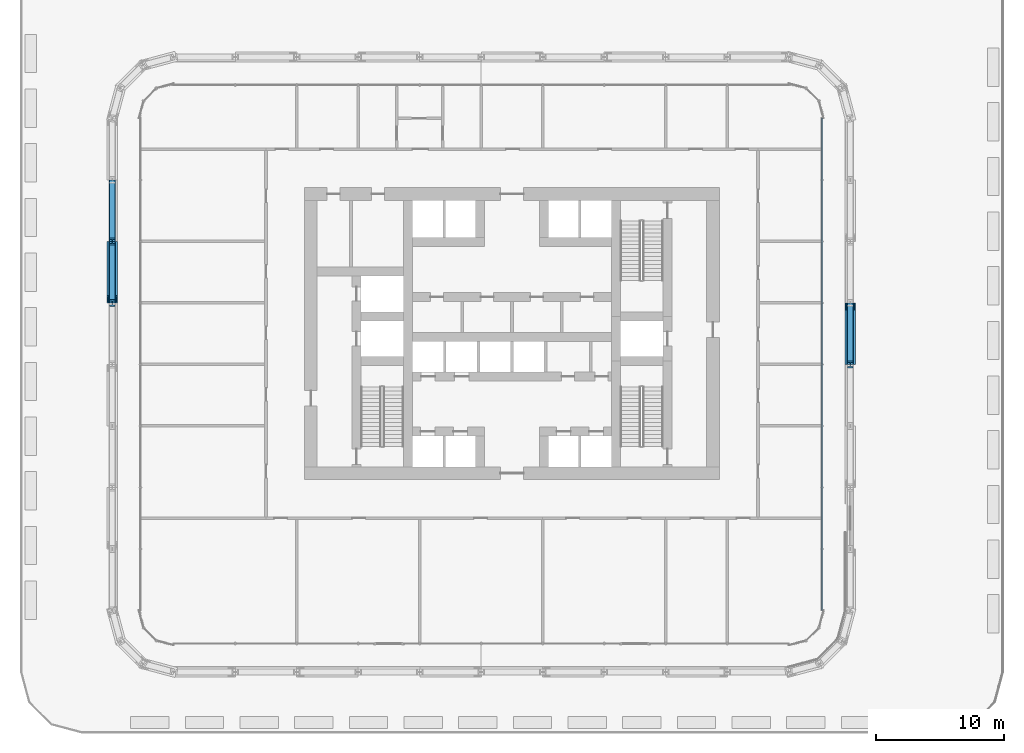
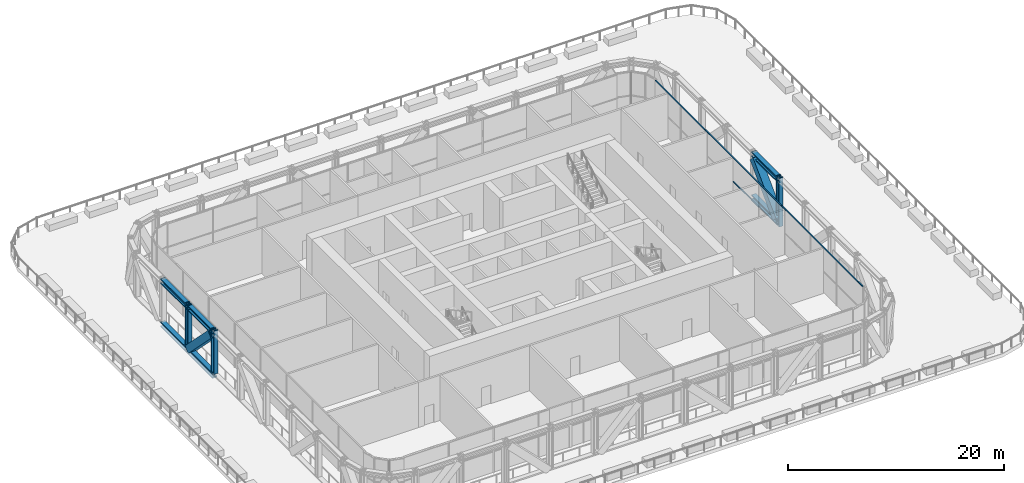
# One storey, part 6 of 22: 13 members, 1 element without a shape of its own.
"""IFC4 building model written with IfcOpenShell, lengths in metres."""

from ifc_helpers import new_model, si_unit, direction, frame, origin, origin_2d, place, context, subcontext, project, spatial, rectangle, hollow_rectangle, i_section, extrude, material, layer, layer_set, material_profile, profile_set, type_object, element, aggregate, save


model = new_model("IFC4")

# Units and contexts
model_context = context("Model", 3, precision=1e-05, world=origin(), true_north=direction((0.0, 1.0)))
body_context = subcontext(model_context, "Body", "Model", "MODEL_VIEW")
ifc_project = project(units=[si_unit("LENGTHUNIT", "METRE"), si_unit("AREAUNIT", "SQUARE_METRE"), si_unit("VOLUMEUNIT", "CUBIC_METRE"), si_unit("PLANEANGLEUNIT", "RADIAN"), si_unit("MASSUNIT", "GRAM", prefix="KILO")], contexts=[model_context])

# Site, building, storey
site_placement = place(None, origin())
site = spatial("IfcSite", under=ifc_project, at=site_placement, CompositionType="ELEMENT")
building_placement = place(site_placement, origin())
building = spatial("IfcBuilding", under=site, at=building_placement, Name="Madar Terraces", CompositionType="ELEMENT")
storey_placement = place(building_placement, frame((0.0, 0.0, 24.0)))
storey = spatial("IfcBuildingStorey", under=building, at=storey_placement, Name="L05", CompositionType="ELEMENT", Elevation=24.0)

# Members
ifc_material_1 = material(Name="Steel ASTM A913 Grade 65", Category="steel")
ifc_material_profile_1 = material_profile(ifc_material_1, i_section(OverallWidth=0.4775390625, OverallDepth=0.599365234375, WebThickness=0.10009765625, FlangeThickness=0.139892578125, at=origin_2d()), Name="W14x873")
ifc_profile_set_1 = profile_set([ifc_material_profile_1], Name="Steel ASTM A913 Grade 65")
member_type_1 = type_object("IfcMemberType", Name="BC1 W14x873", PredefinedType="CHORD", material=ifc_profile_set_1)
member_1_placement = place(storey_placement, frame((57.60009765625, 24.0, -0.120361328125), z_axis=(0.0, 1.0, 0.0), x_axis=(-1.0, 0.0, 0.0)))
element("IfcMember", 1, at=member_1_placement, inside=storey, type_object=member_type_1, Name="Exoskeleton truss ring bottom chord BC1", PredefinedType="CHORD", context=body_context, shape_type="SweptSolid", body=[
    extrude(i_section(OverallWidth=0.4775390625, OverallDepth=0.599365234375, WebThickness=0.10009765625, FlangeThickness=0.139892578125, at=origin_2d()), origin(), (0.0, 0.0, 1.0), 4.800048828125),
])
member_2_placement = place(storey_placement, frame((0.0, 38.39990234375, -0.120361328125), z_axis=(0.0, -1.0, 0.0), x_axis=(1.0, 0.0, 0.0)))
element("IfcMember", 2, at=member_2_placement, inside=storey, type_object=member_type_1, Name="Exoskeleton truss ring bottom chord BC1", PredefinedType="CHORD", context=body_context, shape_type="SweptSolid", body=[
    extrude(i_section(OverallWidth=0.4775390625, OverallDepth=0.599365234375, WebThickness=0.10009765625, FlangeThickness=0.139892578125, at=origin_2d()), origin(), (0.0, 0.0, 1.0), 4.7998046875),
])
member_3_placement = place(storey_placement, frame((0.0, 33.60009765625, -0.120361328125), z_axis=(0.0, -1.0, 0.0), x_axis=(1.0, 0.0, 0.0)))
element("IfcMember", 3, at=member_3_placement, inside=storey, type_object=member_type_1, Name="Exoskeleton truss ring bottom chord BC1", PredefinedType="CHORD", context=body_context, shape_type="SweptSolid", body=[
    extrude(i_section(OverallWidth=0.4775390625, OverallDepth=0.599365234375, WebThickness=0.10009765625, FlangeThickness=0.139892578125, at=origin_2d()), origin(), (0.0, 0.0, 1.0), 4.800048828125),
])

# Curtain wall, members
ifc_material_2 = material(Name="Glass, ceramic frit dark grey, with black aluminium frame", Category="aluminium")
ifc_layer = layer(ifc_material_2, 0.199951171875)
ifc_layer_set = layer_set([ifc_layer], Name="Facade curtain wall, tall glazing")
curtain_wall_type = type_object("IfcCurtainWallType", Name="Facade curtain wall, tall glazing", PredefinedType="NOTDEFINED", material=ifc_layer_set)
curtain_wall_placement = place(storey_placement, origin())
curtain_wall = element("IfcCurtainWall", 4, at=curtain_wall_placement, inside=storey, type_object=curtain_wall_type, Name="Outer skin curtain wall east bay 1", PredefinedType="NOTDEFINED")
ifc_material_3 = material(Name="Aluminium, black anodised", Category="aluminium")
ifc_material_profile_2 = material_profile(ifc_material_3, rectangle(XDim=0.1201171875, YDim=0.06005859375, at=origin_2d()), Name="Facade transom 60x120")
ifc_profile_set_2 = profile_set([ifc_material_profile_2], Name="Aluminium, black anodised")
member_type_2 = type_object("IfcMemberType", Name="Facade transom 60x120", PredefinedType="USERDEFINED", material=ifc_profile_set_2)
member_4_placement = place(storey_placement, frame((55.39990234375, 4.800048828125, 5.070068359375), z_axis=(0.0, 1.0, 0.0), x_axis=(-1.0, 0.0, 0.0)))
member_4 = element("IfcMember", 5, at=member_4_placement, type_object=member_type_2, Name="Transom 1", ObjectType="TRANSOM", PredefinedType="USERDEFINED", context=body_context, shape_type="SweptSolid", body=[
    extrude(rectangle(XDim=0.1201171875, YDim=0.06005859375, at=origin_2d()), origin(), (0.0, 0.0, 1.0), 38.39990234375),
])
member_5_placement = place(storey_placement, frame((55.39990234375, 24.030029296875, 2.39990234375), z_axis=(0.0, 1.0, 0.0), x_axis=(-1.0, 0.0, 0.0)))
member_5 = element("IfcMember", 6, at=member_5_placement, type_object=member_type_2, Name="Transom 6", ObjectType="TRANSOM", PredefinedType="USERDEFINED", context=body_context, shape_type="SweptSolid", body=[
    extrude(rectangle(XDim=0.1201171875, YDim=0.06005859375, at=origin_2d()), origin(), (0.0, 0.0, 1.0), 4.739990234375),
])
aggregate(curtain_wall, [member_4, member_5])

# Members
ifc_material_4 = material(Name="Steel ASTM A913 Grade 65", Category="steel")
ifc_material_profile_3 = material_profile(ifc_material_4, i_section(OverallWidth=0.45458984375, OverallDepth=0.56884765625, WebThickness=0.077880859375, FlangeThickness=0.124755859375, at=origin_2d()), Name="W14x730")
ifc_profile_set_3 = profile_set([ifc_material_profile_3], Name="Steel ASTM A913 Grade 65")
member_type_3 = type_object("IfcMemberType", Name="TC1 W14x730", PredefinedType="CHORD", material=ifc_profile_set_3)
member_6_placement = place(storey_placement, frame((57.60009765625, 24.0, 4.74560546875), z_axis=(0.0, 1.0, 0.0), x_axis=(-1.0, 0.0, 0.0)))
element("IfcMember", 7, at=member_6_placement, inside=storey, type_object=member_type_3, Name="Exoskeleton truss ring top chord TC1", PredefinedType="CHORD", context=body_context, shape_type="SweptSolid", body=[
    extrude(i_section(OverallWidth=0.45458984375, OverallDepth=0.56884765625, WebThickness=0.077880859375, FlangeThickness=0.124755859375, at=origin_2d()), origin(), (0.0, 0.0, 1.0), 4.800048828125),
])
member_7_placement = place(storey_placement, frame((0.0, 38.39990234375, 4.74560546875), z_axis=(0.0, -1.0, 0.0), x_axis=(1.0, 0.0, 0.0)))
element("IfcMember", 8, at=member_7_placement, inside=storey, type_object=member_type_3, Name="Exoskeleton truss ring top chord TC1", PredefinedType="CHORD", context=body_context, shape_type="SweptSolid", body=[
    extrude(i_section(OverallWidth=0.45458984375, OverallDepth=0.56884765625, WebThickness=0.077880859375, FlangeThickness=0.124755859375, at=origin_2d()), origin(), (0.0, 0.0, 1.0), 4.7998046875),
])
member_8_placement = place(storey_placement, frame((0.0, 33.60009765625, 4.74560546875), z_axis=(0.0, -1.0, 0.0), x_axis=(1.0, 0.0, 0.0)))
element("IfcMember", 9, at=member_8_placement, inside=storey, type_object=member_type_3, Name="Exoskeleton truss ring top chord TC1", PredefinedType="CHORD", context=body_context, shape_type="SweptSolid", body=[
    extrude(i_section(OverallWidth=0.45458984375, OverallDepth=0.56884765625, WebThickness=0.077880859375, FlangeThickness=0.124755859375, at=origin_2d()), origin(), (0.0, 0.0, 1.0), 4.800048828125),
])
ifc_material_5 = material(Name="Steel ASTM A572 Grade 50", Category="steel")
ifc_material_profile_4 = material_profile(ifc_material_5, hollow_rectangle(XDim=0.800048828125, YDim=0.800048828125, WallThickness=0.080078125, at=origin_2d()), Name="BOX800x800x80")
ifc_profile_set_4 = profile_set([ifc_material_profile_4], Name="Steel ASTM A572 Grade 50")
member_type_4 = type_object("IfcMemberType", Name="TD1 BOX800x800x80", PredefinedType="BRACE", material=ifc_profile_set_4)
member_9_placement = place(storey_placement, frame((57.60009765625, 24.295654296875, 0.179443359375), z_axis=(0.0, 0.702280003428, 0.711900833533), x_axis=(-1.0, 0.0, 0.0)))
element("IfcMember", 10, at=member_9_placement, inside=storey, type_object=member_type_4, Name="Exoskeleton truss ring diagonal TD1", PredefinedType="BRACE", context=body_context, shape_type="SweptSolid", body=[
    extrude(hollow_rectangle(XDim=0.800048828125, YDim=0.800048828125, WallThickness=0.080078125, at=origin_2d()), origin(), (0.0, 0.0, 1.0), 6.01416015625),
])
member_10_placement = place(storey_placement, frame((0.0, 33.304443359375, 0.179443359375), z_axis=(0.0, -0.702300575813, 0.711880538583), x_axis=(1.0, 0.0, 0.0)))
element("IfcMember", 11, at=member_10_placement, inside=storey, type_object=member_type_4, Name="Exoskeleton truss ring diagonal TD1", PredefinedType="BRACE", context=body_context, shape_type="SweptSolid", body=[
    extrude(hollow_rectangle(XDim=0.800048828125, YDim=0.800048828125, WallThickness=0.080078125, at=origin_2d()), origin(), (0.0, 0.0, 1.0), 6.014404296875),
])
ifc_material_6 = material(Name="Steel ASTM A913 Grade 65", Category="steel")
ifc_material_profile_5 = material_profile(ifc_material_6, i_section(OverallWidth=0.44189453125, OverallDepth=0.53076171875, WebThickness=0.06591796875, FlangeThickness=0.105712890625, at=origin_2d()), Name="W14x605")
ifc_profile_set_5 = profile_set([ifc_material_profile_5], Name="Steel ASTM A913 Grade 65")
member_type_5 = type_object("IfcMemberType", Name="TV1 W14x605", PredefinedType="POST", material=ifc_profile_set_5)
for number, where, z_axis, x_axis, name in (
    (12, (57.60009765625, 24.0, -0.419921875), (0.0, 0.0, 1.0), (-1.0, 0.0, 0.0), "Exoskeleton truss ring post TV1"),
    (13, (0.0, 33.60009765625, -0.419921875), (0.0, 0.0, 1.0), (1.0, 0.0, 0.0), "Exoskeleton truss ring post TV1"),
):
    element("IfcMember", number, at=place(storey_placement, frame(where, z_axis=z_axis, x_axis=x_axis)), inside=storey, type_object=member_type_5, Name=name, PredefinedType="POST", context=body_context, shape_type="SweptSolid", body=[
        extrude(i_section(OverallWidth=0.44189453125, OverallDepth=0.53076171875, WebThickness=0.06591796875, FlangeThickness=0.105712890625, at=origin_2d()), origin(), (0.0, 0.0, 1.0), 5.52001953125),
    ])
member_11_placement = place(storey_placement, frame((0.0, 28.800048828125, 0.179443359375), z_axis=(0.0, 0.0, 1.0), x_axis=(1.0, 0.0, 0.0)))
element("IfcMember", 14, at=member_11_placement, inside=storey, type_object=member_type_5, Name="Exoskeleton truss ring post TV1", PredefinedType="POST", context=body_context, shape_type="SweptSolid", body=[
    extrude(i_section(OverallWidth=0.44189453125, OverallDepth=0.53076171875, WebThickness=0.06591796875, FlangeThickness=0.105712890625, at=origin_2d()), origin(), (0.0, 0.0, 1.0), 4.920654296875),
])

save(model, "model.ifc")
